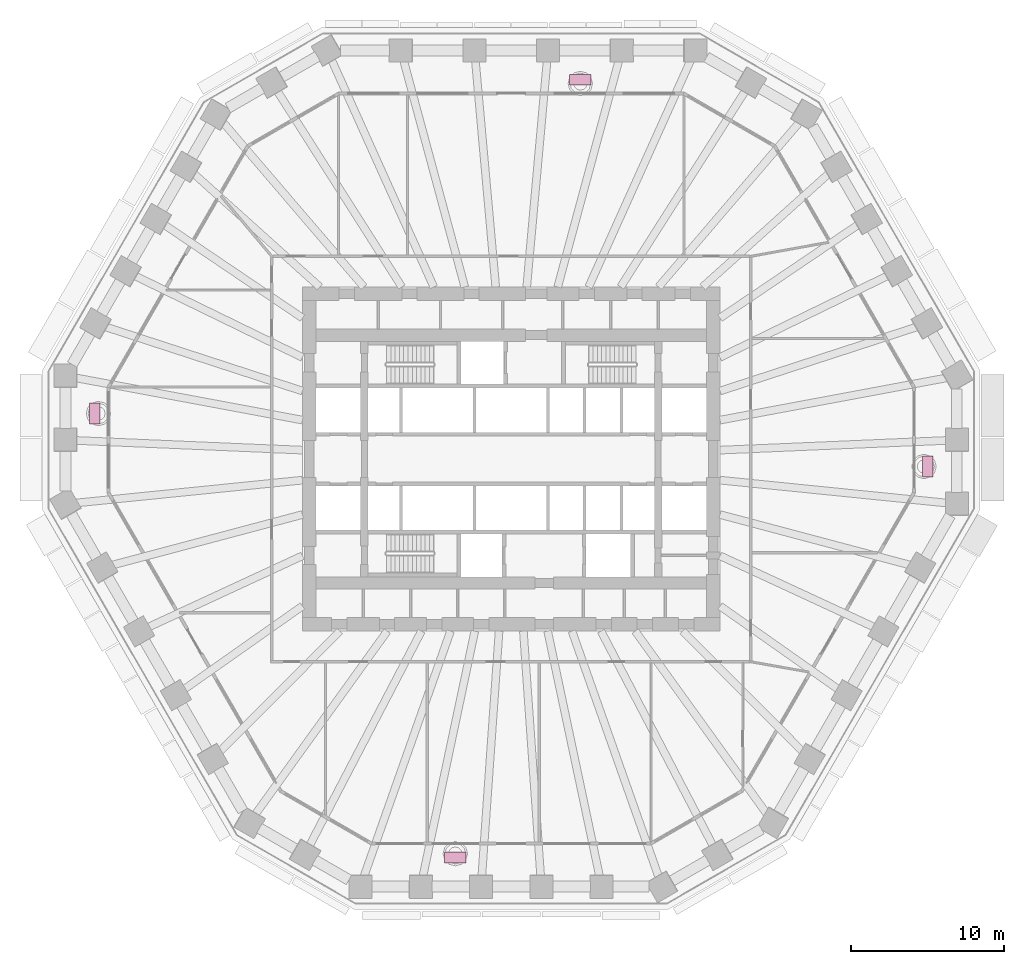
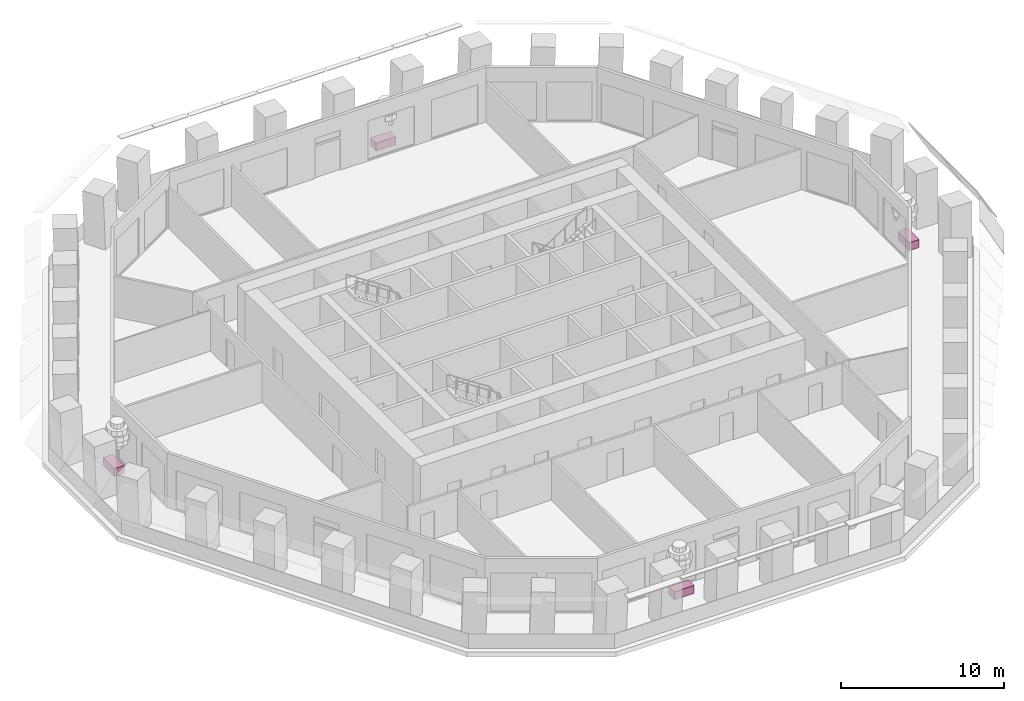
# One storey, part 11 of 12: 4 furniture elements.
"""IFC4 building model written with IfcOpenShell, lengths in metres."""

from ifc_helpers import new_model, si_unit, direction, frame, origin, origin_2d, place, context, subcontext, project, spatial, rectangle, extrude, material, type_object, element, save


model = new_model("IFC4")

# Units and contexts
model_context = context("Model", 3, precision=1e-05, world=origin(), true_north=direction((0.0, 1.0)))
body_context = subcontext(model_context, "Body", "Model", "MODEL_VIEW")
ifc_project = project(units=[si_unit("LENGTHUNIT", "METRE"), si_unit("AREAUNIT", "SQUARE_METRE"), si_unit("VOLUMEUNIT", "CUBIC_METRE"), si_unit("PLANEANGLEUNIT", "RADIAN"), si_unit("MASSUNIT", "GRAM", prefix="KILO")], contexts=[model_context])

# Site, building, storey
site_placement = place(None, origin())
site = spatial("IfcSite", under=ifc_project, at=site_placement, CompositionType="ELEMENT")
building_placement = place(site_placement, origin())
building = spatial("IfcBuilding", under=site, at=building_placement, Name="Frailejon Research Tower", CompositionType="ELEMENT")
storey_placement = place(building_placement, frame((0.0, 0.0, 54.199951171875)))
storey = spatial("IfcBuildingStorey", under=building, at=storey_placement, Name="L12", CompositionType="ELEMENT", Elevation=54.199951171875)

# Furniture
ifc_material = material(Name="Precast concrete C30/37 planter, terracotta", Category="masonry")
furniture_type = type_object("IfcFurnitureType", Name="Loggia planter 1400x700", AssemblyPlace="NOTDEFINED", PredefinedType="USERDEFINED", material=ifc_material)
for number, where, z_axis, x_axis, name in (
    (1, (27.231201171875, -0.487548828125, 0.0), (0.0, 0.0, 1.0), (0.0, 1.0, 0.0), "Planter L12"),
    (2, (4.517333984375, 24.800048828125, 0.0), (0.0, 0.0, 1.0), (-1.0, 0.0, 0.0), "Planter L12"),
    (3, (-27.231201171875, 2.9765625, 0.0), (0.0, 0.0, 1.0), (0.0, -1.0, 0.0), "Planter L12"),
    (4, (-3.6552734375, -26.04443359375, 0.0), (0.0, 0.0, 1.0), (1.0, 0.0, 0.0), "Planter L12"),
):
    element("IfcFurniture", number, at=place(storey_placement, frame(where, z_axis=z_axis, x_axis=x_axis)), inside=storey, type_object=furniture_type, Name=name, ObjectType="PLANTER", PredefinedType="USERDEFINED", context=body_context, shape_type="SweptSolid", body=[
        extrude(rectangle(XDim=1.39990234375, YDim=0.699951171875, at=origin_2d()), origin(), (0.0, 0.0, 1.0), 0.60009765625),
    ])

save(model, "model.ifc")
